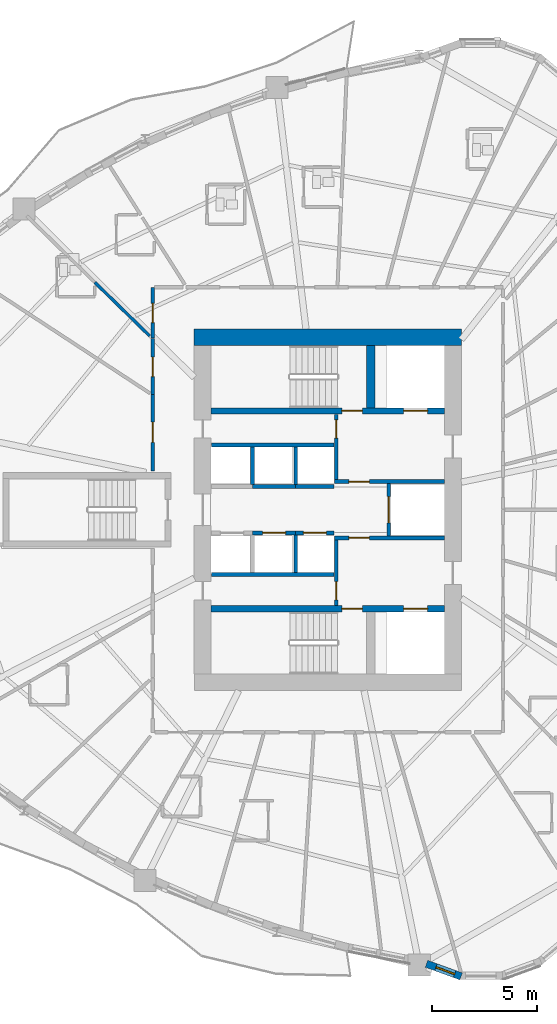
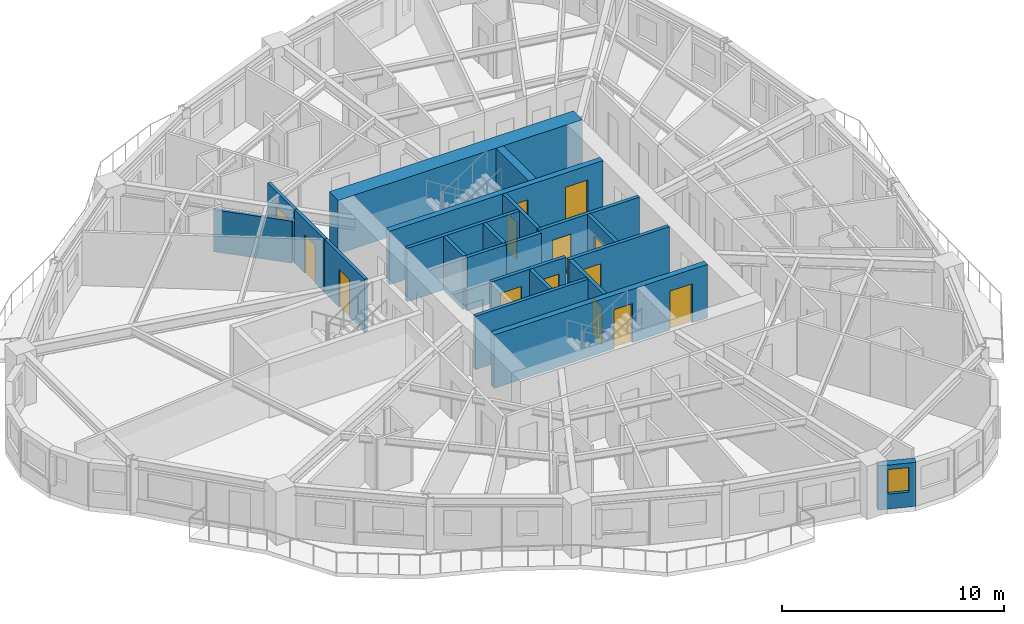
# One storey, part 5 of 14: 23 walls, 14 doors, 1 window, 15 openings.
"""IFC4 building model written with IfcOpenShell, lengths in metres."""

from ifc_helpers import new_model, si_unit, direction, frame, frame_2d, origin, place, context, subcontext, project, spatial, rectangle, extrude, source, transform, mapped, material, layer, layer_set, type_object, element, fill, save


model = new_model("IFC4")

# Units and contexts
model_context = context("Model", 3, precision=1e-05, world=origin(), true_north=direction((0.0, 1.0)))
body_context = subcontext(model_context, "Body", "Model", "MODEL_VIEW")
ifc_project = project(units=[si_unit("LENGTHUNIT", "METRE"), si_unit("AREAUNIT", "SQUARE_METRE"), si_unit("VOLUMEUNIT", "CUBIC_METRE"), si_unit("PLANEANGLEUNIT", "RADIAN"), si_unit("MASSUNIT", "GRAM", prefix="KILO")], contexts=[model_context])

# Site, building, storey
site_placement = place(None, origin())
site = spatial("IfcSite", under=ifc_project, at=site_placement, CompositionType="ELEMENT")
building_placement = place(site_placement, origin())
building = spatial("IfcBuilding", under=site, at=building_placement, Name="Qafzar Sky-Pleat Residences", CompositionType="ELEMENT")
storey_placement = place(building_placement, frame((0.0, 0.0, 11.0)))
storey = spatial("IfcBuildingStorey", under=building, at=storey_placement, Name="L02", CompositionType="ELEMENT", Elevation=11.0)

# Wall, opening, door
ifc_material_1 = material(Name="Acoustic gypsum plasterboard partition", Category="gypsum")
ifc_layer_1 = layer(ifc_material_1, 0.159912109375)
ifc_layer_set_1 = layer_set([ifc_layer_1], Name="Acoustic gypsum plasterboard partition")
wall_type_1 = type_object("IfcWallType", Name="PART-COR-160", PredefinedType="PARTITIONING", material=ifc_layer_set_1)
wall_1_placement = place(storey_placement, frame((22.02001953125, 27.85009765625, 0.0), z_axis=(0.0, 0.0, 1.0), x_axis=(0.0, 1.0, 0.0)))
wall_1 = element("IfcWall", 1, at=wall_1_placement, inside=storey, type_object=wall_type_1, Name="L02 Partition Wall PART-L02-PW-003", PredefinedType="PARTITIONING", context=body_context, shape_type="SweptSolid", body=[
    extrude(rectangle(XDim=3.625, YDim=0.159912109375, at=frame_2d((1.8125, 0.0))), origin(), (0.0, 0.0, 1.0), 2.93994140625),
])
opening_1_placement = place(wall_1_placement, frame((1.35302734375, 0.0, 0.0)))
opening_1 = element("IfcOpeningElement", 2, at=opening_1_placement, cuts=wall_1, Name="Opening ID-06", PredefinedType="OPENING", context=body_context, shape_type="SweptSolid", body=[
    extrude(rectangle(XDim=0.9599609375, YDim=2.10009765625, at=frame_2d((0.47998046875, 1.050048828125))), frame((0.0, 0.08984375, 0.0), z_axis=(0.0, -1.0, 0.0), x_axis=(1.0, 0.0, 0.0)), (0.0, 0.0, 1.0), 0.179931640625),
])
ifc_material_2 = material(Name="Timber-faced fire door", Category="wood")
door_type_1 = type_object("IfcDoorType", Name="DR-STD-960", OperationType="NOTDEFINED", PredefinedType="DOOR", material=ifc_material_2)
shared_shape_1 = source(origin(), body_context, "Body", "SweptSolid", [
    extrude(rectangle(XDim=0.9599609375, YDim=2.10009765625, at=frame_2d((0.47998046875, 1.050048828125))), frame((0.0, 0.02490234375, 0.0), z_axis=(0.0, -1.0, 0.0), x_axis=(1.0, 0.0, 0.0)), (0.0, 0.0, 1.0), 0.050048828125),
])
door_1_placement = place(opening_1_placement, origin())
door_1 = element("IfcDoor", 3, at=door_1_placement, inside=storey, type_object=door_type_1, Name="L02 Reading Library Door", OperationType="SINGLE_SWING_LEFT", OverallHeight=2.10009765625, OverallWidth=0.9599609375, PredefinedType="DOOR", context=body_context, shape_type="MappedRepresentation", body=[
    mapped(shared_shape_1, transform((0.0, 0.0, 0.0), x_axis=(1.0, 0.0, 0.0), y_axis=(0.0, 1.0, 0.0), z_axis=(0.0, 0.0, 1.0), scale=1.0)),
])
fill(opening_1, door_1)

wall_2_placement = place(storey_placement, frame((22.02001953125, 31.489990234375, 0.0), z_axis=(0.0, 0.0, 1.0), x_axis=(0.0, 1.0, 0.0)))
wall_2 = element("IfcWall", 4, at=wall_2_placement, inside=storey, type_object=wall_type_1, Name="L02 Partition Wall PART-L02-PW-010", PredefinedType="PARTITIONING", context=body_context, shape_type="SweptSolid", body=[
    extrude(rectangle(XDim=2.662109375, YDim=0.159912109375, at=frame_2d((1.3310546875, 0.0))), origin(), (0.0, 0.0, 1.0), 2.93994140625),
])
opening_2_placement = place(wall_2_placement, frame((0.843994140625, 0.0, 0.0)))
opening_2 = element("IfcOpeningElement", 5, at=opening_2_placement, cuts=wall_2, Name="Opening ID-04", PredefinedType="OPENING", context=body_context, shape_type="SweptSolid", body=[
    extrude(rectangle(XDim=0.919921875, YDim=2.10009765625, at=frame_2d((0.4599609375, 1.050048828125))), frame((0.0, 0.08984375, 0.0), z_axis=(0.0, -1.0, 0.0), x_axis=(1.0, 0.0, 0.0)), (0.0, 0.0, 1.0), 0.179931640625),
])
door_type_2 = type_object("IfcDoorType", Name="DR-BED-920", OperationType="NOTDEFINED", PredefinedType="DOOR", material=ifc_material_2)
shared_shape_2 = source(origin(), body_context, "Body", "SweptSolid", [
    extrude(rectangle(XDim=0.919921875, YDim=2.10009765625, at=frame_2d((0.4599609375, 1.050048828125))), frame((0.0, 0.02490234375, 0.0), z_axis=(0.0, -1.0, 0.0), x_axis=(1.0, 0.0, 0.0)), (0.0, 0.0, 1.0), 0.050048828125),
])
door_2_placement = place(opening_2_placement, origin())
door_2 = element("IfcDoor", 6, at=door_2_placement, inside=storey, type_object=door_type_2, Name="L02 Co-Living Bedroom 10 Door", OperationType="SINGLE_SWING_LEFT", OverallHeight=2.10009765625, OverallWidth=0.919921875, PredefinedType="DOOR", context=body_context, shape_type="MappedRepresentation", body=[
    mapped(shared_shape_2, transform((0.0, 0.0, 0.0), x_axis=(1.0, 0.0, 0.0), y_axis=(0.0, 1.0, 0.0), z_axis=(0.0, 0.0, 1.0), scale=1.0)),
])
fill(opening_2, door_2)

wall_3_placement = place(storey_placement, frame((22.02001953125, 34.1669921875, 0.0), z_axis=(0.0, 0.0, 1.0), x_axis=(0.0, 1.0, 0.0)))
wall_3 = element("IfcWall", 7, at=wall_3_placement, inside=storey, type_object=wall_type_1, Name="L02 Partition Wall PART-L02-PW-014", PredefinedType="PARTITIONING", context=body_context, shape_type="SweptSolid", body=[
    extrude(rectangle(XDim=2.4130859375, YDim=0.159912109375, at=frame_2d((1.20654296875, 0.0))), origin(), (0.0, 0.0, 1.0), 2.93994140625),
])
opening_3_placement = place(wall_3_placement, frame((0.728515625, 0.0, 0.0)))
opening_3 = element("IfcOpeningElement", 8, at=opening_3_placement, cuts=wall_3, Name="Opening ID-04", PredefinedType="OPENING", context=body_context, shape_type="SweptSolid", body=[
    extrude(rectangle(XDim=0.919921875, YDim=2.10009765625, at=frame_2d((0.4599609375, 1.050048828125))), frame((0.0, 0.08984375, 0.0), z_axis=(0.0, -1.0, 0.0), x_axis=(1.0, 0.0, 0.0)), (0.0, 0.0, 1.0), 0.179931640625),
])
door_3_placement = place(opening_3_placement, origin())
door_3 = element("IfcDoor", 9, at=door_3_placement, inside=storey, type_object=door_type_2, Name="L02 Co-Living Bedroom 11 Door", OperationType="SINGLE_SWING_RIGHT", OverallHeight=2.10009765625, OverallWidth=0.919921875, PredefinedType="DOOR", context=body_context, shape_type="MappedRepresentation", body=[
    mapped(shared_shape_2, transform((0.0, 0.0, 0.0), x_axis=(1.0, 0.0, 0.0), y_axis=(0.0, 1.0, 0.0), z_axis=(0.0, 0.0, 1.0), scale=1.0)),
])
fill(opening_3, door_3)

ifc_material_3 = material(Name="Concrete blockwork partition", Category="masonry")
ifc_layer_2 = layer(ifc_material_3, 0.179931640625)
ifc_layer_set_2 = layer_set([ifc_layer_2], Name="Concrete blockwork partition")
wall_type_2 = type_object("IfcWallType", Name="PART-SHAFT-180", PredefinedType="PARTITIONING", material=ifc_layer_set_2)
wall_4_placement = place(storey_placement, frame((30.75, 21.4599609375, 0.0), z_axis=(0.0, 0.0, 1.0), x_axis=(0.0, 1.0, 0.0)))
wall_4 = element("IfcWall", 10, at=wall_4_placement, inside=storey, type_object=wall_type_2, Name="L02 Partition Wall PART-L02-FFL1-W", PredefinedType="PARTITIONING", context=body_context, shape_type="SweptSolid", body=[
    extrude(rectangle(XDim=3.110107421875, YDim=0.179931640625, at=frame_2d((1.55517578125, 0.0))), origin(), (0.0, 0.0, 1.0), 2.93994140625),
])
opening_4_placement = place(wall_4_placement, frame((0.260009765625, 0.0, 0.0)))
opening_4 = element("IfcOpeningElement", 11, at=opening_4_placement, cuts=wall_4, Name="Opening ID-09", PredefinedType="OPENING", context=body_context, shape_type="SweptSolid", body=[
    extrude(rectangle(XDim=0.860107421875, YDim=2.050048828125, at=frame_2d((0.43017578125, 1.02490234375))), frame((0.0, 0.10009765625, 0.0), z_axis=(0.0, -1.0, 0.0), x_axis=(1.0, 0.0, 0.0)), (0.0, 0.0, 1.0), 0.199951171875),
])
door_type_3 = type_object("IfcDoorType", Name="DR-SVC-860", OperationType="NOTDEFINED", PredefinedType="DOOR", material=ifc_material_2)
shared_shape_3 = source(origin(), body_context, "Body", "SweptSolid", [
    extrude(rectangle(XDim=0.860107421875, YDim=2.050048828125, at=frame_2d((0.43017578125, 1.02490234375))), frame((0.0, 0.02490234375, 0.0), z_axis=(0.0, -1.0, 0.0), x_axis=(1.0, 0.0, 0.0)), (0.0, 0.0, 1.0), 0.050048828125),
])
door_4_placement = place(opening_4_placement, origin())
door_4 = element("IfcDoor", 12, at=door_4_placement, inside=storey, type_object=door_type_3, Name="L02 South Core Cupboard Door", OperationType="SINGLE_SWING_RIGHT", OverallHeight=2.050048828125, OverallWidth=0.860107421875, PredefinedType="DOOR", context=body_context, shape_type="MappedRepresentation", body=[
    mapped(shared_shape_3, transform((0.0, 0.0, 0.0), x_axis=(1.0, 0.0, 0.0), y_axis=(0.0, 1.0, 0.0), z_axis=(0.0, 0.0, 1.0), scale=1.0)),
])
fill(opening_4, door_4)

wall_5_placement = place(storey_placement, frame((30.669921875, 24.659912109375, 0.0), z_axis=(0.0, 0.0, 1.0), x_axis=(1.0, 0.0, 0.0)))
wall_5 = element("IfcWall", 13, at=wall_5_placement, inside=storey, type_object=wall_type_2, Name="L02 Partition Wall PART-L02-FFL1-N", PredefinedType="PARTITIONING", context=body_context, shape_type="SweptSolid", body=[
    extrude(rectangle(XDim=5.219970703125, YDim=0.179931640625, at=frame_2d((2.60986328125, 0.0))), origin(), (0.0, 0.0, 1.0), 2.93994140625),
])
opening_5_placement = place(wall_5_placement, frame((0.679931640625, 0.0, 0.0)))
opening_5 = element("IfcOpeningElement", 14, at=opening_5_placement, cuts=wall_5, Name="Opening ID-01", PredefinedType="OPENING", context=body_context, shape_type="SweptSolid", body=[
    extrude(rectangle(XDim=0.97998046875, YDim=2.14990234375, at=frame_2d((0.489990234375, 1.074951171875))), frame((0.0, 0.10009765625, 0.0), z_axis=(0.0, -1.0, 0.0), x_axis=(1.0, 0.0, 0.0)), (0.0, 0.0, 1.0), 0.199951171875),
])
door_type_4 = type_object("IfcDoorType", Name="DR-STAIR-980", OperationType="NOTDEFINED", PredefinedType="DOOR", material=ifc_material_2)
shared_shape_4 = source(origin(), body_context, "Body", "SweptSolid", [
    extrude(rectangle(XDim=0.97998046875, YDim=2.14990234375, at=frame_2d((0.489990234375, 1.074951171875))), frame((0.0, 0.02490234375, 0.0), z_axis=(0.0, -1.0, 0.0), x_axis=(1.0, 0.0, 0.0)), (0.0, 0.0, 1.0), 0.050048828125),
])
door_5_placement = place(opening_5_placement, origin())
door_5 = element("IfcDoor", 15, at=door_5_placement, inside=storey, type_object=door_type_4, Name="L02 Lift Lobby to South Firefighting Lobby Door", OperationType="SINGLE_SWING_LEFT", OverallHeight=2.14990234375, OverallWidth=0.97998046875, PredefinedType="DOOR", context=body_context, shape_type="MappedRepresentation", body=[
    mapped(shared_shape_4, transform((0.0, 0.0, 0.0), x_axis=(1.0, 0.0, 0.0), y_axis=(0.0, 1.0, 0.0), z_axis=(0.0, 0.0, 1.0), scale=1.0)),
])
fill(opening_5, door_5)

wall_6_placement = place(storey_placement, frame((30.75, 27.429931640625, 0.0), z_axis=(0.0, 0.0, 1.0), x_axis=(0.0, 1.0, 0.0)))
wall_6 = element("IfcWall", 16, at=wall_6_placement, inside=storey, type_object=wall_type_2, Name="L02 Partition Wall PART-L02-FFL2-W", PredefinedType="PARTITIONING", context=body_context, shape_type="SweptSolid", body=[
    extrude(rectangle(XDim=3.110107421875, YDim=0.179931640625, at=frame_2d((1.55517578125, 0.0))), origin(), (0.0, 0.0, 1.0), 2.93994140625),
])
opening_6_placement = place(wall_6_placement, frame((1.97998046875, 0.0, 0.0)))
opening_6 = element("IfcOpeningElement", 17, at=opening_6_placement, cuts=wall_6, Name="Opening ID-09", PredefinedType="OPENING", context=body_context, shape_type="SweptSolid", body=[
    extrude(rectangle(XDim=0.860107421875, YDim=2.050048828125, at=frame_2d((0.43017578125, 1.02490234375))), frame((0.0, 0.10009765625, 0.0), z_axis=(0.0, -1.0, 0.0), x_axis=(1.0, 0.0, 0.0)), (0.0, 0.0, 1.0), 0.199951171875),
])
door_6_placement = place(opening_6_placement, origin())
door_6 = element("IfcDoor", 18, at=door_6_placement, inside=storey, type_object=door_type_3, Name="L02 North Core Cupboard Door", OperationType="SINGLE_SWING_RIGHT", OverallHeight=2.050048828125, OverallWidth=0.860107421875, PredefinedType="DOOR", context=body_context, shape_type="MappedRepresentation", body=[
    mapped(shared_shape_3, transform((0.0, 0.0, 0.0), x_axis=(1.0, 0.0, 0.0), y_axis=(0.0, 1.0, 0.0), z_axis=(0.0, 0.0, 1.0), scale=1.0)),
])
fill(opening_6, door_6)

wall_7_placement = place(storey_placement, frame((30.669921875, 27.340087890625, 0.0), z_axis=(0.0, 0.0, 1.0), x_axis=(1.0, 0.0, 0.0)))
wall_7 = element("IfcWall", 19, at=wall_7_placement, inside=storey, type_object=wall_type_2, Name="L02 Partition Wall PART-L02-FFL2-S", PredefinedType="PARTITIONING", context=body_context, shape_type="SweptSolid", body=[
    extrude(rectangle(XDim=5.219970703125, YDim=0.179931640625, at=frame_2d((2.60986328125, 0.0))), origin(), (0.0, 0.0, 1.0), 2.93994140625),
])
opening_7_placement = place(wall_7_placement, frame((0.679931640625, 0.0, 0.0)))
opening_7 = element("IfcOpeningElement", 20, at=opening_7_placement, cuts=wall_7, Name="Opening ID-01", PredefinedType="OPENING", context=body_context, shape_type="SweptSolid", body=[
    extrude(rectangle(XDim=0.97998046875, YDim=2.14990234375, at=frame_2d((0.489990234375, 1.074951171875))), frame((0.0, 0.10009765625, 0.0), z_axis=(0.0, -1.0, 0.0), x_axis=(1.0, 0.0, 0.0)), (0.0, 0.0, 1.0), 0.199951171875),
])
door_7_placement = place(opening_7_placement, origin())
door_7 = element("IfcDoor", 21, at=door_7_placement, inside=storey, type_object=door_type_4, Name="L02 Lift Lobby to North Firefighting Lobby Door", OperationType="SINGLE_SWING_LEFT", OverallHeight=2.14990234375, OverallWidth=0.97998046875, PredefinedType="DOOR", context=body_context, shape_type="MappedRepresentation", body=[
    mapped(shared_shape_4, transform((0.0, 0.0, 0.0), x_axis=(1.0, 0.0, 0.0), y_axis=(0.0, 1.0, 0.0), z_axis=(0.0, 0.0, 1.0), scale=1.0)),
])
fill(opening_7, door_7)

wall_8_placement = place(storey_placement, frame((33.25, 24.760009765625, 0.0), z_axis=(0.0, 0.0, 1.0), x_axis=(0.0, 1.0, 0.0)))
wall_8 = element("IfcWall", 22, at=wall_8_placement, inside=storey, type_object=wall_type_2, Name="L02 Partition Wall PART-L02-SV1-W", PredefinedType="PARTITIONING", context=body_context, shape_type="SweptSolid", body=[
    extrude(rectangle(XDim=2.47998046875, YDim=0.179931640625, at=frame_2d((1.239990234375, 0.0))), origin(), (0.0, 0.0, 1.0), 2.93994140625),
])
opening_8_placement = place(wall_8_placement, frame((0.614990234375, 0.0, 0.0)))
opening_8 = element("IfcOpeningElement", 23, at=opening_8_placement, cuts=wall_8, Name="Opening LD-03", PredefinedType="OPENING", context=body_context, shape_type="SweptSolid", body=[
    extrude(rectangle(XDim=1.25, YDim=2.14990234375, at=frame_2d((0.625, 1.074951171875))), frame((0.0, 0.10009765625, 0.0), z_axis=(0.0, -1.0, 0.0), x_axis=(1.0, 0.0, 0.0)), (0.0, 0.0, 1.0), 0.199951171875),
])
ifc_material_4 = material(Name="Stainless steel sliding landing door", Category="steel")
door_type_5 = type_object("IfcDoorType", Name="DR-LIFT-SV", OperationType="DOUBLE_DOOR_SLIDING", PredefinedType="DOOR", material=ifc_material_4)
shared_shape_5 = source(origin(), body_context, "Body", "SweptSolid", [
    extrude(rectangle(XDim=1.25, YDim=2.14990234375, at=frame_2d((0.625, 1.074951171875))), frame((0.0, 0.02490234375, 0.0), z_axis=(0.0, -1.0, 0.0), x_axis=(1.0, 0.0, 0.0)), (0.0, 0.0, 1.0), 0.050048828125),
])
door_8_placement = place(opening_8_placement, origin())
door_8 = element("IfcDoor", 24, at=door_8_placement, inside=storey, type_object=door_type_5, Name="L02 Service Lift SV1 Landing Door", OperationType="DOUBLE_DOOR_SLIDING", OverallHeight=2.14990234375, OverallWidth=1.25, PredefinedType="DOOR", context=body_context, shape_type="MappedRepresentation", body=[
    mapped(shared_shape_5, transform((0.0, 0.0, 0.0), x_axis=(1.0, 0.0, 0.0), y_axis=(0.0, 1.0, 0.0), z_axis=(0.0, 0.0, 1.0), scale=1.0)),
])
fill(opening_8, door_8)

# Wall
wall_9_placement = place(storey_placement, frame((24.81005859375, 22.919921875, 0.0), z_axis=(0.0, 0.0, 1.0), x_axis=(1.0, 0.0, 0.0)))
element("IfcWall", 25, at=wall_9_placement, inside=storey, type_object=wall_type_2, Name="L02 Partition Wall PART-L02-P13-S", PredefinedType="PARTITIONING", context=body_context, shape_type="SweptSolid", body=[
    extrude(rectangle(XDim=5.83984375, YDim=0.179931640625, at=frame_2d((2.919921875, 0.0))), origin(), (0.0, 0.0, 1.0), 2.93994140625),
])

# Wall, opening, door
wall_10_placement = place(storey_placement, frame((26.77490234375, 24.89990234375, 0.0), z_axis=(0.0, 0.0, 1.0), x_axis=(1.0, 0.0, 0.0)))
wall_10 = element("IfcWall", 26, at=wall_10_placement, inside=storey, type_object=wall_type_2, Name="L02 Partition Wall PART-L02-P2-N", PredefinedType="PARTITIONING", context=body_context, shape_type="SweptSolid", body=[
    extrude(rectangle(XDim=2.050048828125, YDim=0.179931640625, at=frame_2d((1.02490234375, 0.0))), origin(), (0.0, 0.0, 1.0), 2.93994140625),
])
opening_9_placement = place(wall_10_placement, frame((0.47509765625, 0.0, 0.0)))
opening_9 = element("IfcOpeningElement", 27, at=opening_9_placement, cuts=wall_10, Name="Opening LD-01", PredefinedType="OPENING", context=body_context, shape_type="SweptSolid", body=[
    extrude(rectangle(XDim=1.10009765625, YDim=2.14990234375, at=frame_2d((0.550048828125, 1.074951171875))), frame((0.0, 0.10009765625, 0.0), z_axis=(0.0, -1.0, 0.0), x_axis=(1.0, 0.0, 0.0)), (0.0, 0.0, 1.0), 0.199951171875),
])
door_type_6 = type_object("IfcDoorType", Name="DR-LIFT-P", OperationType="DOUBLE_DOOR_SLIDING", PredefinedType="DOOR", material=ifc_material_4)
shared_shape_6 = source(origin(), body_context, "Body", "SweptSolid", [
    extrude(rectangle(XDim=1.10009765625, YDim=2.14990234375, at=frame_2d((0.550048828125, 1.074951171875))), frame((0.0, 0.02490234375, 0.0), z_axis=(0.0, -1.0, 0.0), x_axis=(1.0, 0.0, 0.0)), (0.0, 0.0, 1.0), 0.050048828125),
])
door_9_placement = place(opening_9_placement, origin())
door_9 = element("IfcDoor", 28, at=door_9_placement, inside=storey, type_object=door_type_6, Name="L02 Passenger Lift P2 Landing Door", OperationType="DOUBLE_DOOR_SLIDING", OverallHeight=2.14990234375, OverallWidth=1.10009765625, PredefinedType="DOOR", context=body_context, shape_type="MappedRepresentation", body=[
    mapped(shared_shape_6, transform((0.0, 0.0, 0.0), x_axis=(1.0, 0.0, 0.0), y_axis=(0.0, 1.0, 0.0), z_axis=(0.0, 0.0, 1.0), scale=1.0)),
])
fill(opening_9, door_9)

wall_11_placement = place(storey_placement, frame((28.824951171875, 24.89990234375, 0.0), z_axis=(0.0, 0.0, 1.0), x_axis=(1.0, 0.0, 0.0)))
wall_11 = element("IfcWall", 29, at=wall_11_placement, inside=storey, type_object=wall_type_2, Name="L02 Partition Wall PART-L02-P3-N", PredefinedType="PARTITIONING", context=body_context, shape_type="SweptSolid", body=[
    extrude(rectangle(XDim=1.824951171875, YDim=0.179931640625, at=frame_2d((0.91259765625, 0.0))), origin(), (0.0, 0.0, 1.0), 2.93994140625),
])
opening_10_placement = place(wall_11_placement, frame((0.362548828125, 0.0, 0.0)))
opening_10 = element("IfcOpeningElement", 30, at=opening_10_placement, cuts=wall_11, Name="Opening LD-01", PredefinedType="OPENING", context=body_context, shape_type="SweptSolid", body=[
    extrude(rectangle(XDim=1.10009765625, YDim=2.14990234375, at=frame_2d((0.550048828125, 1.074951171875))), frame((0.0, 0.10009765625, 0.0), z_axis=(0.0, -1.0, 0.0), x_axis=(1.0, 0.0, 0.0)), (0.0, 0.0, 1.0), 0.199951171875),
])
door_10_placement = place(opening_10_placement, origin())
door_10 = element("IfcDoor", 31, at=door_10_placement, inside=storey, type_object=door_type_6, Name="L02 Passenger Lift P3 Landing Door", OperationType="DOUBLE_DOOR_SLIDING", OverallHeight=2.14990234375, OverallWidth=1.10009765625, PredefinedType="DOOR", context=body_context, shape_type="MappedRepresentation", body=[
    mapped(shared_shape_6, transform((0.0, 0.0, 0.0), x_axis=(1.0, 0.0, 0.0), y_axis=(0.0, 1.0, 0.0), z_axis=(0.0, 0.0, 1.0), scale=1.0)),
])
fill(opening_10, door_10)

# Walls
wall_12_placement = place(storey_placement, frame((28.824951171875, 23.02001953125, 0.0), z_axis=(0.0, 0.0, 1.0), x_axis=(0.0, 1.0, 0.0)))
element("IfcWall", 32, at=wall_12_placement, inside=storey, type_object=wall_type_2, Name="L02 Partition Wall PART-L02-P13-DIV-2", PredefinedType="PARTITIONING", context=body_context, shape_type="SweptSolid", body=[
    extrude(rectangle(XDim=1.780029296875, YDim=0.179931640625, at=frame_2d((0.89013671875, 0.0))), origin(), (0.0, 0.0, 1.0), 2.93994140625),
])
wall_13_placement = place(storey_placement, frame((24.81005859375, 29.080078125, 0.0), z_axis=(0.0, 0.0, 1.0), x_axis=(1.0, 0.0, 0.0)))
element("IfcWall", 33, at=wall_13_placement, inside=storey, type_object=wall_type_2, Name="L02 Partition Wall PART-L02-P46-N", PredefinedType="PARTITIONING", context=body_context, shape_type="SweptSolid", body=[
    extrude(rectangle(XDim=5.83984375, YDim=0.179931640625, at=frame_2d((2.919921875, 0.0))), origin(), (0.0, 0.0, 1.0), 2.93994140625),
])
wall_14_placement = place(storey_placement, frame((26.77490234375, 27.10009765625, 0.0), z_axis=(0.0, 0.0, 1.0), x_axis=(1.0, 0.0, 0.0)))
element("IfcWall", 34, at=wall_14_placement, inside=storey, type_object=wall_type_2, Name="L02 Partition Wall PART-L02-P5-S", PredefinedType="PARTITIONING", context=body_context, shape_type="SweptSolid", body=[
    extrude(rectangle(XDim=2.050048828125, YDim=0.179931640625, at=frame_2d((1.02490234375, 0.0))), origin(), (0.0, 0.0, 1.0), 2.93994140625),
])
wall_15_placement = place(storey_placement, frame((26.77490234375, 27.199951171875, 0.0), z_axis=(0.0, 0.0, 1.0), x_axis=(0.0, 1.0, 0.0)))
element("IfcWall", 35, at=wall_15_placement, inside=storey, type_object=wall_type_2, Name="L02 Partition Wall PART-L02-P46-DIV-1", PredefinedType="PARTITIONING", context=body_context, shape_type="SweptSolid", body=[
    extrude(rectangle(XDim=1.780029296875, YDim=0.179931640625, at=frame_2d((0.89013671875, 0.0))), origin(), (0.0, 0.0, 1.0), 2.93994140625),
])
wall_16_placement = place(storey_placement, frame((28.824951171875, 27.10009765625, 0.0), z_axis=(0.0, 0.0, 1.0), x_axis=(1.0, 0.0, 0.0)))
element("IfcWall", 36, at=wall_16_placement, inside=storey, type_object=wall_type_2, Name="L02 Partition Wall PART-L02-P6-S", PredefinedType="PARTITIONING", context=body_context, shape_type="SweptSolid", body=[
    extrude(rectangle(XDim=1.824951171875, YDim=0.179931640625, at=frame_2d((0.91259765625, 0.0))), origin(), (0.0, 0.0, 1.0), 2.93994140625),
])
wall_17_placement = place(storey_placement, frame((28.824951171875, 27.199951171875, 0.0), z_axis=(0.0, 0.0, 1.0), x_axis=(0.0, 1.0, 0.0)))
element("IfcWall", 37, at=wall_17_placement, inside=storey, type_object=wall_type_2, Name="L02 Partition Wall PART-L02-P46-DIV-2", PredefinedType="PARTITIONING", context=body_context, shape_type="SweptSolid", body=[
    extrude(rectangle(XDim=1.780029296875, YDim=0.179931640625, at=frame_2d((0.89013671875, 0.0))), origin(), (0.0, 0.0, 1.0), 2.93994140625),
])
ifc_layer_3 = layer(ifc_material_1, 0.14501953125)
ifc_layer_set_3 = layer_set([ifc_layer_3], Name="Acoustic gypsum plasterboard partition")
wall_type_3 = type_object("IfcWallType", Name="PART-UNIT-145", PredefinedType="PARTITIONING", material=ifc_layer_set_3)
wall_18_placement = place(storey_placement, frame((19.27099609375, 36.81494140625, 0.0), z_axis=(0.0, 0.0, 1.0), x_axis=(0.71551452036, -0.698597860828, 0.0)))
element("IfcWall", 38, at=wall_18_placement, inside=storey, type_object=wall_type_3, Name="L02 Partition Wall PART-L02-PW-061", PredefinedType="PARTITIONING", context=body_context, shape_type="SweptSolid", body=[
    extrude(rectangle(XDim=3.6513671875, YDim=0.14501953125, at=frame_2d((1.82568359375, 0.0))), origin(), (0.0, 0.0, 1.0), 2.30810546875),
])

# Wall, opening, window
ifc_material_5 = material(Name="Precast concrete C40/50 with honed Riyadh limestone", Category="concrete")
ifc_layer_4 = layer(ifc_material_5, 0.35009765625)
ifc_layer_set_4 = layer_set([ifc_layer_4], Name="Precast concrete C40/50 with honed Riyadh limestone")
wall_type_4 = type_object("IfcWallType", Name="WALL-EXT-350", PredefinedType="SOLIDWALL", material=ifc_layer_set_4)
wall_19_placement = place(storey_placement, frame((35.041748046875, 4.4111328125, 0.0), z_axis=(0.0, 0.0, 1.0), x_axis=(0.9396916908, -0.34202269843, 0.0)))
wall_19 = element("IfcWall", 39, at=wall_19_placement, inside=storey, type_object=wall_type_4, Name="L02 Limestone Facade Wall 17", PredefinedType="SOLIDWALL", context=body_context, shape_type="SweptSolid", body=[
    extrude(rectangle(XDim=1.75244140625, YDim=0.35009765625, at=frame_2d((0.876220703125, 0.0))), origin(), (0.0, 0.0, 1.0), 2.419921875),
])
opening_11_placement = place(wall_19_placement, frame((0.476318359375, 0.0, 0.820068359375)))
opening_11 = element("IfcOpeningElement", 40, at=opening_11_placement, cuts=wall_19, Name="Opening WN-12", PredefinedType="OPENING", context=body_context, shape_type="SweptSolid", body=[
    extrude(rectangle(XDim=0.949951171875, YDim=1.35009765625, at=frame_2d((0.47509765625, 0.675048828125))), frame((0.0, 0.18505859375, 0.0), z_axis=(0.0, -1.0, 0.0), x_axis=(1.0, 0.0, 0.0)), (0.0, 0.0, 1.0), 0.3701171875),
])
ifc_material_6 = material(Name="Solar-control low-E glass in bronze aluminium frame", Category="glass")
window_type = type_object("IfcWindowType", Name="WIN-12", PartitioningType="SINGLE_PANEL", PredefinedType="WINDOW", material=ifc_material_6)
shared_shape_7 = source(origin(), body_context, "Body", "SweptSolid", [
    extrude(rectangle(XDim=0.949951171875, YDim=1.35009765625, at=frame_2d((0.47509765625, 0.675048828125))), frame((0.0, 0.030029296875, 0.0), z_axis=(0.0, -1.0, 0.0), x_axis=(1.0, 0.0, 0.0)), (0.0, 0.0, 1.0), 0.06005859375),
])
window_placement = place(opening_11_placement, origin())
window = element("IfcWindow", 41, at=window_placement, inside=storey, type_object=window_type, Name="L02 Punched Facade Window 17", OverallHeight=1.35009765625, OverallWidth=0.949951171875, PartitioningType="SINGLE_PANEL", PredefinedType="WINDOW", context=body_context, shape_type="MappedRepresentation", body=[
    mapped(shared_shape_7, transform((0.0, 0.0, 0.0), x_axis=(1.0, 0.0, 0.0), y_axis=(0.0, 1.0, 0.0), z_axis=(0.0, 0.0, 1.0), scale=1.0)),
])
fill(opening_11, window)

# Wall, openings, doors
ifc_material_7 = material(Name="Concrete C60/75", Category="concrete")
ifc_layer_5 = layer(ifc_material_7, 0.300048828125)
ifc_layer_set_5 = layer_set([ifc_layer_5], Name="Concrete C60/75")
wall_type_5 = type_object("IfcWallType", Name="WALL-SHEAR-300", PredefinedType="SHEAR", material=ifc_layer_set_5)
wall_20_placement = place(storey_placement, frame((24.800048828125, 21.300048828125, 0.0), z_axis=(0.0, 0.0, 1.0), x_axis=(1.0, 0.0, 0.0)))
wall_20 = element("IfcWall", 42, at=wall_20_placement, inside=storey, type_object=wall_type_5, Name="L02 Stair ST1 and FF1 Shaft North Wall", PredefinedType="SHEAR", context=body_context, shape_type="SweptSolid", body=[
    extrude(rectangle(XDim=11.099853515625, YDim=0.300048828125, at=frame_2d((5.5498046875, 0.0))), origin(), (0.0, 0.0, 1.0), 2.93994140625),
])
opening_12_placement = place(wall_20_placement, frame((6.219970703125, 0.0, 0.0)))
opening_12 = element("IfcOpeningElement", 43, at=opening_12_placement, cuts=wall_20, Name="Opening ID-01", PredefinedType="OPENING", context=body_context, shape_type="SweptSolid", body=[
    extrude(rectangle(XDim=0.97998046875, YDim=2.14990234375, at=frame_2d((0.489990234375, 1.074951171875))), frame((0.0, 0.16015625, 0.0), z_axis=(0.0, -1.0, 0.0), x_axis=(1.0, 0.0, 0.0)), (0.0, 0.0, 1.0), 0.320068359375),
])
opening_13_placement = place(wall_20_placement, frame((9.14990234375, 0.0, 0.0)))
opening_13 = element("IfcOpeningElement", 44, at=opening_13_placement, cuts=wall_20, Name="Opening LD-02", PredefinedType="OPENING", context=body_context, shape_type="SweptSolid", body=[
    extrude(rectangle(XDim=1.14990234375, YDim=2.14990234375, at=frame_2d((0.574951171875, 1.074951171875))), frame((0.0, 0.16015625, 0.0), z_axis=(0.0, -1.0, 0.0), x_axis=(1.0, 0.0, 0.0)), (0.0, 0.0, 1.0), 0.320068359375),
])
door_11_placement = place(opening_12_placement, origin())
door_11 = element("IfcDoor", 45, at=door_11_placement, inside=storey, type_object=door_type_4, Name="L02 Stair ST1 Fire Door", OperationType="SINGLE_SWING_LEFT", OverallHeight=2.14990234375, OverallWidth=0.97998046875, PredefinedType="DOOR", context=body_context, shape_type="MappedRepresentation", body=[
    mapped(shared_shape_4, transform((0.0, 0.0, 0.0), x_axis=(1.0, 0.0, 0.0), y_axis=(0.0, 1.0, 0.0), z_axis=(0.0, 0.0, 1.0), scale=1.0)),
])
fill(opening_12, door_11)
door_type_7 = type_object("IfcDoorType", Name="DR-LIFT-FF", OperationType="DOUBLE_DOOR_SLIDING", PredefinedType="DOOR", material=ifc_material_4)
shared_shape_8 = source(origin(), body_context, "Body", "SweptSolid", [
    extrude(rectangle(XDim=1.14990234375, YDim=2.14990234375, at=frame_2d((0.574951171875, 1.074951171875))), frame((0.0, 0.02490234375, 0.0), z_axis=(0.0, -1.0, 0.0), x_axis=(1.0, 0.0, 0.0)), (0.0, 0.0, 1.0), 0.050048828125),
])
door_12_placement = place(opening_13_placement, origin())
door_12 = element("IfcDoor", 46, at=door_12_placement, inside=storey, type_object=door_type_7, Name="L02 Firefighting Lift FF1 Landing Door", OperationType="DOUBLE_DOOR_SLIDING", OverallHeight=2.14990234375, OverallWidth=1.14990234375, PredefinedType="DOOR", context=body_context, shape_type="MappedRepresentation", body=[
    mapped(shared_shape_8, transform((0.0, 0.0, 0.0), x_axis=(1.0, 0.0, 0.0), y_axis=(0.0, 1.0, 0.0), z_axis=(0.0, 0.0, 1.0), scale=1.0)),
])
fill(opening_13, door_12)

wall_21_placement = place(storey_placement, frame((24.800048828125, 30.699951171875, 0.0), z_axis=(0.0, 0.0, 1.0), x_axis=(1.0, 0.0, 0.0)))
wall_21 = element("IfcWall", 47, at=wall_21_placement, inside=storey, type_object=wall_type_5, Name="L02 Stair ST2 and FF2 Shaft South Wall", PredefinedType="SHEAR", context=body_context, shape_type="SweptSolid", body=[
    extrude(rectangle(XDim=11.099853515625, YDim=0.300048828125, at=frame_2d((5.5498046875, 0.0))), origin(), (0.0, 0.0, 1.0), 2.93994140625),
])
opening_14_placement = place(wall_21_placement, frame((6.219970703125, 0.0, 0.0)))
opening_14 = element("IfcOpeningElement", 48, at=opening_14_placement, cuts=wall_21, Name="Opening ID-01", PredefinedType="OPENING", context=body_context, shape_type="SweptSolid", body=[
    extrude(rectangle(XDim=0.97998046875, YDim=2.14990234375, at=frame_2d((0.489990234375, 1.074951171875))), frame((0.0, 0.16015625, 0.0), z_axis=(0.0, -1.0, 0.0), x_axis=(1.0, 0.0, 0.0)), (0.0, 0.0, 1.0), 0.320068359375),
])
opening_15_placement = place(wall_21_placement, frame((9.14990234375, 0.0, 0.0)))
opening_15 = element("IfcOpeningElement", 49, at=opening_15_placement, cuts=wall_21, Name="Opening LD-02", PredefinedType="OPENING", context=body_context, shape_type="SweptSolid", body=[
    extrude(rectangle(XDim=1.14990234375, YDim=2.14990234375, at=frame_2d((0.574951171875, 1.074951171875))), frame((0.0, 0.16015625, 0.0), z_axis=(0.0, -1.0, 0.0), x_axis=(1.0, 0.0, 0.0)), (0.0, 0.0, 1.0), 0.320068359375),
])
door_13_placement = place(opening_14_placement, origin())
door_13 = element("IfcDoor", 50, at=door_13_placement, inside=storey, type_object=door_type_4, Name="L02 Stair ST2 Fire Door", OperationType="SINGLE_SWING_RIGHT", OverallHeight=2.14990234375, OverallWidth=0.97998046875, PredefinedType="DOOR", context=body_context, shape_type="MappedRepresentation", body=[
    mapped(shared_shape_4, transform((0.0, 0.0, 0.0), x_axis=(1.0, 0.0, 0.0), y_axis=(0.0, 1.0, 0.0), z_axis=(0.0, 0.0, 1.0), scale=1.0)),
])
fill(opening_14, door_13)
door_14_placement = place(opening_15_placement, origin())
door_14 = element("IfcDoor", 51, at=door_14_placement, inside=storey, type_object=door_type_7, Name="L02 Firefighting Lift FF2 Landing Door", OperationType="DOUBLE_DOOR_SLIDING", OverallHeight=2.14990234375, OverallWidth=1.14990234375, PredefinedType="DOOR", context=body_context, shape_type="MappedRepresentation", body=[
    mapped(shared_shape_8, transform((0.0, 0.0, 0.0), x_axis=(1.0, 0.0, 0.0), y_axis=(0.0, 1.0, 0.0), z_axis=(0.0, 0.0, 1.0), scale=1.0)),
])
fill(opening_15, door_14)

# Walls
ifc_layer_6 = layer(ifc_material_7, 0.39990234375)
ifc_layer_set_6 = layer_set([ifc_layer_6], Name="Concrete C60/75")
wall_type_6 = type_object("IfcWallType", Name="WALL-SHEAR-400", PredefinedType="SHEAR", material=ifc_layer_set_6)
wall_22_placement = place(storey_placement, frame((32.39990234375, 30.85009765625, 0.0), z_axis=(0.0, 0.0, 1.0), x_axis=(0.0, 1.0, 0.0)))
element("IfcWall", 52, at=wall_22_placement, inside=storey, type_object=wall_type_6, Name="L02 Stair ST2 East Dividing Wall", PredefinedType="SHEAR", context=body_context, shape_type="SweptSolid", body=[
    extrude(rectangle(XDim=2.949951171875, YDim=0.39990234375, at=frame_2d((1.47509765625, 0.0))), origin(), (0.0, 0.0, 1.0), 2.93994140625),
])
ifc_layer_7 = layer(ifc_material_7, 0.800048828125)
ifc_layer_set_7 = layer_set([ifc_layer_7], Name="Concrete C60/75")
wall_type_7 = type_object("IfcWallType", Name="WALL-SHEAR-800", PredefinedType="SHEAR", material=ifc_layer_set_7)
wall_23_placement = place(storey_placement, frame((36.699951171875, 34.199951171875, 0.0), z_axis=(0.0, 0.0, 1.0), x_axis=(-1.0, 0.0, 0.0)))
element("IfcWall", 53, at=wall_23_placement, inside=storey, type_object=wall_type_7, Name="L02 CORE wall N", PredefinedType="SHEAR", context=body_context, shape_type="SweptSolid", body=[
    extrude(rectangle(XDim=12.699951171875, YDim=0.800048828125, at=frame_2d((6.35009765625, 0.0))), origin(), (0.0, 0.0, 1.0), 2.93994140625),
])

save(model, "model.ifc")
